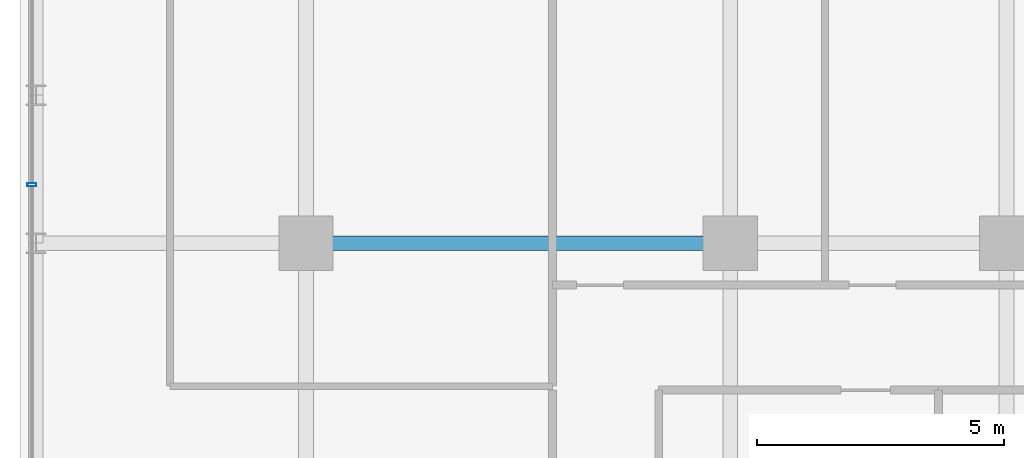
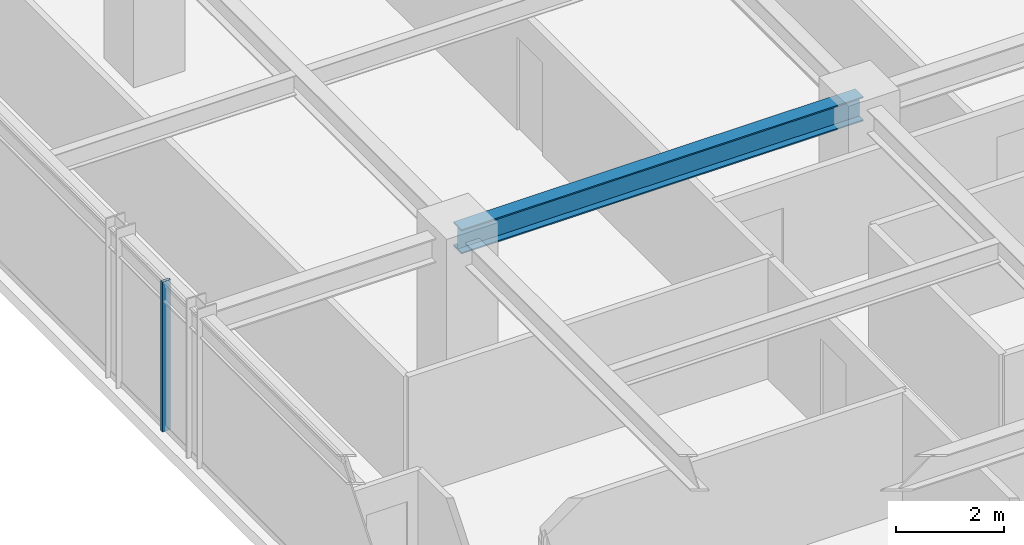
# One storey, part 8 of 29: 1 beam, 1 member, 1 element without a shape of its own.
"""IFC4 building model written with IfcOpenShell, lengths in metres."""

from ifc_helpers import new_model, si_unit, direction, frame, origin, origin_2d, place, context, subcontext, project, spatial, hollow_rectangle, i_section, extrude, source, transform, mapped, material, material_profile, profile_set, type_object, element, aggregate, save


model = new_model("IFC4")

# Units and contexts
model_context = context("Model", 3, precision=1e-05, world=origin(), true_north=direction((0.0, 1.0)))
body_context = subcontext(model_context, "Body", "Model", "MODEL_VIEW")
ifc_project = project(units=[si_unit("LENGTHUNIT", "METRE"), si_unit("AREAUNIT", "SQUARE_METRE"), si_unit("VOLUMEUNIT", "CUBIC_METRE"), si_unit("PLANEANGLEUNIT", "RADIAN"), si_unit("MASSUNIT", "GRAM", prefix="KILO")], contexts=[model_context])

# Site, building, storey
site_placement = place(None, origin())
site = spatial("IfcSite", under=ifc_project, at=site_placement, CompositionType="ELEMENT")
building_placement = place(site_placement, origin())
building = spatial("IfcBuilding", under=site, at=building_placement, Name="Nahalor Promenade Grand Hotel", CompositionType="ELEMENT")
storey_placement = place(building_placement, frame((0.0, 0.0, 189.14990234375)))
storey = spatial("IfcBuildingStorey", under=building, at=storey_placement, Name="L48", CompositionType="ELEMENT", Elevation=189.14990234375)

# Beam
ifc_material_1 = material(Name="Steel S355JR", Category="steel")
ifc_material_profile_1 = material_profile(ifc_material_1, i_section(OverallWidth=0.3, OverallDepth=0.55, WebThickness=0.015, FlangeThickness=0.029, at=origin_2d()), Name="HEB 550")
ifc_profile_set_1 = profile_set([ifc_material_profile_1], Name="Steel S355JR")
beam_type = type_object("IfcBeamType", Name="Beam-Girder-HEB550", PredefinedType="BEAM", material=ifc_profile_set_1)
shared_shape_1 = source(origin(), body_context, "Body", "SweptSolid", [
    extrude(i_section(OverallWidth=0.3, OverallDepth=0.55, WebThickness=0.015, FlangeThickness=0.029, at=origin_2d()), origin(), (0.0, 0.0, 1.0), 8.60009765625),
])
beam_placement = place(storey_placement, frame((-17.0, 5.39990234375, 3.114990234375), z_axis=(1.0, 0.0, 0.0), x_axis=(0.0, 1.0, 0.0)))
element("IfcBeam", 1, at=beam_placement, inside=storey, type_object=beam_type, Name="BM-L48-GX-2-1", PredefinedType="BEAM", context=body_context, shape_type="MappedRepresentation", body=[
    mapped(shared_shape_1, transform((0.0, 0.0, 0.0), scale=1.0)),
])

# Curtain wall, member
ifc_material_2 = material(Name="Anodised Bronze Aluminium EN AW-6063 T6", Category="aluminium")
curtain_wall_type = type_object("IfcCurtainWallType", Name="CW2 Typical Hotel Flush Bronze Unitised Curtain Wall", PredefinedType="USERDEFINED", material=ifc_material_2)
curtain_wall_placement = place(storey_placement, origin())
curtain_wall = element("IfcCurtainWall", 2, at=curtain_wall_placement, inside=storey, type_object=curtain_wall_type, Name="L48 Curtain Wall CW-L48-W-1", ObjectType="UNITISED_CURTAIN_WALL", PredefinedType="USERDEFINED")
ifc_material_profile_2 = material_profile(ifc_material_2, hollow_rectangle(XDim=0.065, YDim=0.18, WallThickness=0.004, at=origin_2d()), Name="CWM 65x180x4")
ifc_profile_set_2 = profile_set([ifc_material_profile_2], Name="Anodised Bronze Aluminium EN AW-6063 T6")
member_type = type_object("IfcMemberType", Name="CWM2 Typical Bronze Mullion 65x180", PredefinedType="MULLION", material=ifc_profile_set_2)
shared_shape_2 = source(origin(), body_context, "Body", "SweptSolid", [
    extrude(hollow_rectangle(XDim=0.065, YDim=0.18, WallThickness=0.004, at=origin_2d()), origin(), (0.0, 0.0, 1.0), 3.39013671875),
])
member_placement = place(storey_placement, frame((-22.56005859375, 6.586669921875, 0.0), z_axis=(0.0, 0.0, 1.0), x_axis=(0.0, 1.0, 0.0)))
member = element("IfcMember", 3, at=member_placement, type_object=member_type, Name="CW-L48-W-1 Mullion 2", PredefinedType="MULLION", context=body_context, shape_type="MappedRepresentation", body=[
    mapped(shared_shape_2, transform((0.0, 0.0, 0.0), scale=1.0)),
])
aggregate(curtain_wall, [member])

save(model, "model.ifc")
